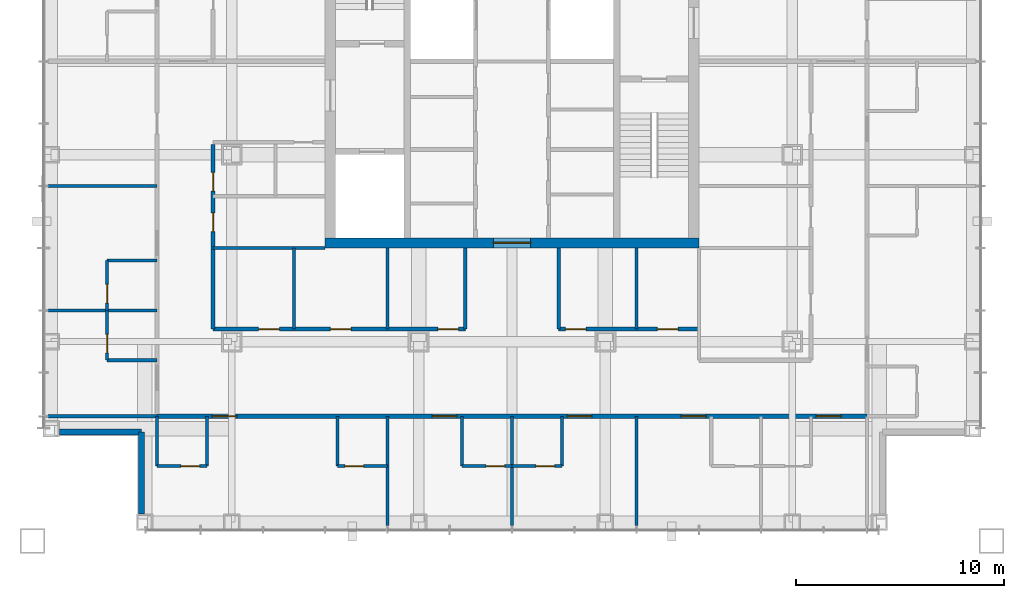
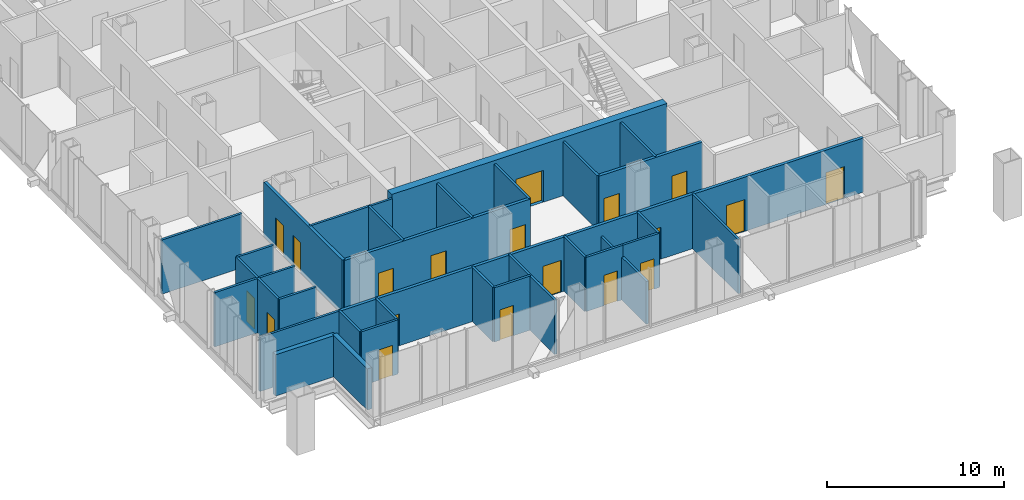
# One storey, part 12 of 20: 32 walls, 19 doors, 19 openings.
"""IFC4 building model written with IfcOpenShell, lengths in metres."""

from ifc_helpers import new_model, si_unit, direction, frame, frame_2d, origin, place, context, subcontext, project, spatial, rectangle, extrude, material, layer, layer_set, type_object, element, fill, save


model = new_model("IFC4")

# Units and contexts
model_context = context("Model", 3, precision=1e-05, world=origin(), true_north=direction((0.0, 1.0)))
body_context = subcontext(model_context, "Body", "Model", "MODEL_VIEW")
ifc_project = project(units=[si_unit("LENGTHUNIT", "METRE"), si_unit("AREAUNIT", "SQUARE_METRE"), si_unit("VOLUMEUNIT", "CUBIC_METRE"), si_unit("PLANEANGLEUNIT", "RADIAN"), si_unit("MASSUNIT", "GRAM", prefix="KILO")], contexts=[model_context])

# Site, building, storey
site_placement = place(None, origin())
site = spatial("IfcSite", under=ifc_project, at=site_placement, CompositionType="ELEMENT")
building_placement = place(site_placement, origin())
building = spatial("IfcBuilding", under=site, at=building_placement, Name="Malebo Sky Hospital", CompositionType="ELEMENT")
storey_placement = place(building_placement, frame((0.0, 0.0, 233.0)))
storey = spatial("IfcBuildingStorey", under=building, at=storey_placement, Name="L56", CompositionType="ELEMENT", Elevation=233.0)

# Wall, opening, door
ifc_material_1 = material(Name="Concrete C80/95", Category="concrete")
ifc_layer_1 = layer(ifc_material_1, 0.5)
ifc_layer_set_1 = layer_set([ifc_layer_1], Name="CORE WALL 500")
wall_type_1 = type_object("IfcWallType", Name="CORE WALL 500", PredefinedType="SHEAR", material=ifc_layer_set_1)
wall_1_placement = place(storey_placement, frame((51.0, 53.25, 0.0), z_axis=(0.0, 0.0, 1.0), x_axis=(1.0, 0.0, 0.0)))
wall_1 = element("IfcWall", 1, at=wall_1_placement, inside=storey, type_object=wall_type_1, Name="Core wall S L56", PredefinedType="SHEAR", context=body_context, shape_type="SweptSolid", body=[
    extrude(rectangle(XDim=18.0, YDim=0.5, at=frame_2d((9.0, 0.0))), origin(), (0.0, 0.0, 1.0), 4.0),
])
opening_1_placement = place(wall_1_placement, frame((8.10009765625, 0.0, 0.0)))
opening_1 = element("IfcOpeningElement", 2, at=opening_1_placement, cuts=wall_1, Name="Opening D06", PredefinedType="OPENING", context=body_context, shape_type="SweptSolid", body=[
    extrude(rectangle(XDim=1.800048828125, YDim=2.199951171875, at=frame_2d((0.89990234375, 1.10009765625))), frame((0.0, 0.260009765625, 0.0), z_axis=(0.0, -1.0, 0.0), x_axis=(1.0, 0.0, 0.0)), (0.0, 0.0, 1.0), 0.52001953125),
])
ifc_material_2 = material(Name="Hardwood-faced door leaf in steel frame", Category="steel")
door_type_1 = type_object("IfcDoorType", Name="LOBBY DOOR PAIR 1800", OperationType="DOUBLE_DOOR_SINGLE_SWING", PredefinedType="DOOR", material=ifc_material_2)
door_1_placement = place(opening_1_placement, origin())
door_1 = element("IfcDoor", 3, at=door_1_placement, inside=storey, type_object=door_type_1, Name="Service lobby door south", OperationType="DOUBLE_DOOR_SINGLE_SWING", OverallHeight=2.199951171875, OverallWidth=1.800048828125, PredefinedType="DOOR", context=body_context, shape_type="SweptSolid", body=[
    extrude(rectangle(XDim=1.800048828125, YDim=2.199951171875, at=frame_2d((0.89990234375, 1.10009765625))), frame((0.0, 0.02490234375, 0.0), z_axis=(0.0, -1.0, 0.0), x_axis=(1.0, 0.0, 0.0)), (0.0, 0.0, 1.0), 0.050048828125),
])
fill(opening_1, door_1)

# Wall, openings, doors
ifc_material_3 = material(Name="Gypsum board on steel studs", Category="steel")
ifc_layer_2 = layer(ifc_material_3, 0.199951171875)
ifc_layer_set_2 = layer_set([ifc_layer_2], Name="CORRIDOR WALL 200")
wall_type_2 = type_object("IfcWallType", Name="CORRIDOR WALL 200", PredefinedType="PARTITIONING", material=ifc_layer_set_2)
wall_2_placement = place(storey_placement, frame((45.60009765625, 49.10009765625, 0.0), z_axis=(0.0, 0.0, 1.0), x_axis=(0.0, 1.0, 0.0)))
wall_2 = element("IfcWall", 4, at=wall_2_placement, inside=storey, type_object=wall_type_2, Name="Corridor Wall 200 WCI1", PredefinedType="PARTITIONING", context=body_context, shape_type="SweptSolid", body=[
    extrude(rectangle(XDim=8.89990234375, YDim=0.199951171875, at=frame_2d((4.449951171875, 0.0))), origin(), (0.0, 0.0, 1.0), 3.75),
])
opening_2_placement = place(wall_2_placement, frame((4.699951171875, 0.0, 0.0)))
opening_2 = element("IfcOpeningElement", 5, at=opening_2_placement, cuts=wall_2, Name="Opening D04", PredefinedType="OPENING", context=body_context, shape_type="SweptSolid", body=[
    extrude(rectangle(XDim=0.89990234375, YDim=2.10009765625, at=frame_2d((0.449951171875, 1.050048828125))), frame((0.0, 0.10986328125, 0.0), z_axis=(0.0, -1.0, 0.0), x_axis=(1.0, 0.0, 0.0)), (0.0, 0.0, 1.0), 0.219970703125),
])
opening_3_placement = place(wall_2_placement, frame((6.64990234375, 0.0, 0.0)))
opening_3 = element("IfcOpeningElement", 6, at=opening_3_placement, cuts=wall_2, Name="Opening D04", PredefinedType="OPENING", context=body_context, shape_type="SweptSolid", body=[
    extrude(rectangle(XDim=0.89990234375, YDim=2.10009765625, at=frame_2d((0.449951171875, 1.050048828125))), frame((0.0, 0.10986328125, 0.0), z_axis=(0.0, -1.0, 0.0), x_axis=(1.0, 0.0, 0.0)), (0.0, 0.0, 1.0), 0.219970703125),
])
door_type_2 = type_object("IfcDoorType", Name="ROOM DOOR 900", OperationType="SINGLE_SWING_LEFT", PredefinedType="DOOR", material=ifc_material_2)
door_2_placement = place(opening_2_placement, origin())
door_2 = element("IfcDoor", 7, at=door_2_placement, inside=storey, type_object=door_type_2, Name="Ward office door", OperationType="SINGLE_SWING_LEFT", OverallHeight=2.10009765625, OverallWidth=0.89990234375, PredefinedType="DOOR", context=body_context, shape_type="SweptSolid", body=[
    extrude(rectangle(XDim=0.89990234375, YDim=2.10009765625, at=frame_2d((0.449951171875, 1.050048828125))), frame((0.0, 0.02490234375, 0.0), z_axis=(0.0, -1.0, 0.0), x_axis=(1.0, 0.0, 0.0)), (0.0, 0.0, 1.0), 0.050048828125),
])
fill(opening_2, door_2)
door_3_placement = place(opening_3_placement, origin())
door_3 = element("IfcDoor", 8, at=door_3_placement, inside=storey, type_object=door_type_2, Name="Linen store door", OperationType="SINGLE_SWING_LEFT", OverallHeight=2.10009765625, OverallWidth=0.89990234375, PredefinedType="DOOR", context=body_context, shape_type="SweptSolid", body=[
    extrude(rectangle(XDim=0.89990234375, YDim=2.10009765625, at=frame_2d((0.449951171875, 1.050048828125))), frame((0.0, 0.02490234375, 0.0), z_axis=(0.0, -1.0, 0.0), x_axis=(1.0, 0.0, 0.0)), (0.0, 0.0, 1.0), 0.050048828125),
])
fill(opening_3, door_3)

wall_3_placement = place(storey_placement, frame((77.10009765625, 44.89990234375, 0.0), z_axis=(0.0, 0.0, 1.0), x_axis=(-1.0, 0.0, 0.0)))
wall_3 = element("IfcWall", 9, at=wall_3_placement, inside=storey, type_object=wall_type_2, Name="Corridor Wall 200 SCO", PredefinedType="PARTITIONING", context=body_context, shape_type="SweptSolid", body=[
    extrude(rectangle(XDim=34.2001953125, YDim=0.199951171875, at=frame_2d((17.10009765625, 0.0))), origin(), (0.0, 0.0, 1.0), 3.75),
])
opening_4_placement = place(wall_3_placement, frame((1.25, 0.0, 0.0)))
opening_4 = element("IfcOpeningElement", 10, at=opening_4_placement, cuts=wall_3, Name="Opening D01", PredefinedType="OPENING", context=body_context, shape_type="SweptSolid", body=[
    extrude(rectangle(XDim=1.199951171875, YDim=2.199951171875, at=frame_2d((0.60009765625, 1.10009765625))), frame((0.0, 0.10986328125, 0.0), z_axis=(0.0, -1.0, 0.0), x_axis=(1.0, 0.0, 0.0)), (0.0, 0.0, 1.0), 0.219970703125),
])
opening_5_placement = place(wall_3_placement, frame((7.75, 0.0, 0.0)))
opening_5 = element("IfcOpeningElement", 11, at=opening_5_placement, cuts=wall_3, Name="Opening D01", PredefinedType="OPENING", context=body_context, shape_type="SweptSolid", body=[
    extrude(rectangle(XDim=1.199951171875, YDim=2.199951171875, at=frame_2d((0.60009765625, 1.10009765625))), frame((0.0, 0.10986328125, 0.0), z_axis=(0.0, -1.0, 0.0), x_axis=(1.0, 0.0, 0.0)), (0.0, 0.0, 1.0), 0.219970703125),
])
opening_6_placement = place(wall_3_placement, frame((13.25, 0.0, 0.0)))
opening_6 = element("IfcOpeningElement", 12, at=opening_6_placement, cuts=wall_3, Name="Opening D01", PredefinedType="OPENING", context=body_context, shape_type="SweptSolid", body=[
    extrude(rectangle(XDim=1.199951171875, YDim=2.199951171875, at=frame_2d((0.60009765625, 1.10009765625))), frame((0.0, 0.10986328125, 0.0), z_axis=(0.0, -1.0, 0.0), x_axis=(1.0, 0.0, 0.0)), (0.0, 0.0, 1.0), 0.219970703125),
])
opening_7_placement = place(wall_3_placement, frame((19.75, 0.0, 0.0)))
opening_7 = element("IfcOpeningElement", 13, at=opening_7_placement, cuts=wall_3, Name="Opening D01", PredefinedType="OPENING", context=body_context, shape_type="SweptSolid", body=[
    extrude(rectangle(XDim=1.199951171875, YDim=2.199951171875, at=frame_2d((0.60009765625, 1.10009765625))), frame((0.0, 0.10986328125, 0.0), z_axis=(0.0, -1.0, 0.0), x_axis=(1.0, 0.0, 0.0)), (0.0, 0.0, 1.0), 0.219970703125),
])
opening_8_placement = place(wall_3_placement, frame((30.35009765625, 0.0, 0.0)))
opening_8 = element("IfcOpeningElement", 14, at=opening_8_placement, cuts=wall_3, Name="Opening D01", PredefinedType="OPENING", context=body_context, shape_type="SweptSolid", body=[
    extrude(rectangle(XDim=1.199951171875, YDim=2.199951171875, at=frame_2d((0.60009765625, 1.10009765625))), frame((0.0, 0.10986328125, 0.0), z_axis=(0.0, -1.0, 0.0), x_axis=(1.0, 0.0, 0.0)), (0.0, 0.0, 1.0), 0.219970703125),
])
door_type_3 = type_object("IfcDoorType", Name="BED DOOR 1200", OperationType="SINGLE_SWING_LEFT", PredefinedType="DOOR", material=ifc_material_2)
door_4_placement = place(opening_4_placement, origin())
door_4 = element("IfcDoor", 15, at=door_4_placement, inside=storey, type_object=door_type_3, Name="Single bed room door", OperationType="SINGLE_SWING_RIGHT", OverallHeight=2.199951171875, OverallWidth=1.199951171875, PredefinedType="DOOR", context=body_context, shape_type="SweptSolid", body=[
    extrude(rectangle(XDim=1.199951171875, YDim=2.199951171875, at=frame_2d((0.60009765625, 1.10009765625))), frame((0.0, 0.02490234375, 0.0), z_axis=(0.0, -1.0, 0.0), x_axis=(1.0, 0.0, 0.0)), (0.0, 0.0, 1.0), 0.050048828125),
])
fill(opening_4, door_4)
door_5_placement = place(opening_5_placement, origin())
door_5 = element("IfcDoor", 16, at=door_5_placement, inside=storey, type_object=door_type_3, Name="Single bed room door", OperationType="SINGLE_SWING_LEFT", OverallHeight=2.199951171875, OverallWidth=1.199951171875, PredefinedType="DOOR", context=body_context, shape_type="SweptSolid", body=[
    extrude(rectangle(XDim=1.199951171875, YDim=2.199951171875, at=frame_2d((0.60009765625, 1.10009765625))), frame((0.0, 0.02490234375, 0.0), z_axis=(0.0, -1.0, 0.0), x_axis=(1.0, 0.0, 0.0)), (0.0, 0.0, 1.0), 0.050048828125),
])
fill(opening_5, door_5)
door_6_placement = place(opening_6_placement, origin())
door_6 = element("IfcDoor", 17, at=door_6_placement, inside=storey, type_object=door_type_3, Name="Single bed room door", OperationType="SINGLE_SWING_RIGHT", OverallHeight=2.199951171875, OverallWidth=1.199951171875, PredefinedType="DOOR", context=body_context, shape_type="SweptSolid", body=[
    extrude(rectangle(XDim=1.199951171875, YDim=2.199951171875, at=frame_2d((0.60009765625, 1.10009765625))), frame((0.0, 0.02490234375, 0.0), z_axis=(0.0, -1.0, 0.0), x_axis=(1.0, 0.0, 0.0)), (0.0, 0.0, 1.0), 0.050048828125),
])
fill(opening_6, door_6)
door_7_placement = place(opening_7_placement, origin())
door_7 = element("IfcDoor", 18, at=door_7_placement, inside=storey, type_object=door_type_3, Name="Single bed room door", OperationType="SINGLE_SWING_LEFT", OverallHeight=2.199951171875, OverallWidth=1.199951171875, PredefinedType="DOOR", context=body_context, shape_type="SweptSolid", body=[
    extrude(rectangle(XDim=1.199951171875, YDim=2.199951171875, at=frame_2d((0.60009765625, 1.10009765625))), frame((0.0, 0.02490234375, 0.0), z_axis=(0.0, -1.0, 0.0), x_axis=(1.0, 0.0, 0.0)), (0.0, 0.0, 1.0), 0.050048828125),
])
fill(opening_7, door_7)
door_8_placement = place(opening_8_placement, origin())
door_8 = element("IfcDoor", 19, at=door_8_placement, inside=storey, type_object=door_type_3, Name="Four-bed bay door", OperationType="SINGLE_SWING_RIGHT", OverallHeight=2.199951171875, OverallWidth=1.199951171875, PredefinedType="DOOR", context=body_context, shape_type="SweptSolid", body=[
    extrude(rectangle(XDim=1.199951171875, YDim=2.199951171875, at=frame_2d((0.60009765625, 1.10009765625))), frame((0.0, 0.02490234375, 0.0), z_axis=(0.0, -1.0, 0.0), x_axis=(1.0, 0.0, 0.0)), (0.0, 0.0, 1.0), 0.050048828125),
])
fill(opening_8, door_8)

wall_4_placement = place(storey_placement, frame((69.0, 49.10009765625, 0.0), z_axis=(0.0, 0.0, 1.0), x_axis=(-1.0, 0.0, 0.0)))
wall_4 = element("IfcWall", 20, at=wall_4_placement, inside=storey, type_object=wall_type_2, Name="Corridor Wall 200 SCI1", PredefinedType="PARTITIONING", context=body_context, shape_type="SweptSolid", body=[
    extrude(rectangle(XDim=6.75, YDim=0.199951171875, at=frame_2d((3.375, 0.0))), origin(), (0.0, 0.0, 1.0), 3.75),
])
opening_9_placement = place(wall_4_placement, frame((1.0, 0.0, 0.0)))
opening_9 = element("IfcOpeningElement", 21, at=opening_9_placement, cuts=wall_4, Name="Opening D03", PredefinedType="OPENING", context=body_context, shape_type="SweptSolid", body=[
    extrude(rectangle(XDim=1.0, YDim=2.10009765625, at=frame_2d((0.5, 1.050048828125))), frame((0.0, 0.10986328125, 0.0), z_axis=(0.0, -1.0, 0.0), x_axis=(1.0, 0.0, 0.0)), (0.0, 0.0, 1.0), 0.219970703125),
])
opening_10_placement = place(wall_4_placement, frame((5.425048828125, 0.0, 0.0)))
opening_10 = element("IfcOpeningElement", 22, at=opening_10_placement, cuts=wall_4, Name="Opening D03", PredefinedType="OPENING", context=body_context, shape_type="SweptSolid", body=[
    extrude(rectangle(XDim=1.0, YDim=2.10009765625, at=frame_2d((0.5, 1.050048828125))), frame((0.0, 0.10986328125, 0.0), z_axis=(0.0, -1.0, 0.0), x_axis=(1.0, 0.0, 0.0)), (0.0, 0.0, 1.0), 0.219970703125),
])
door_type_4 = type_object("IfcDoorType", Name="ROOM DOOR 1000", OperationType="SINGLE_SWING_LEFT", PredefinedType="DOOR", material=ifc_material_2)
door_9_placement = place(opening_9_placement, origin())
door_9 = element("IfcDoor", 23, at=door_9_placement, inside=storey, type_object=door_type_4, Name="Clean utility room door", OperationType="SINGLE_SWING_LEFT", OverallHeight=2.10009765625, OverallWidth=1.0, PredefinedType="DOOR", context=body_context, shape_type="SweptSolid", body=[
    extrude(rectangle(XDim=1.0, YDim=2.10009765625, at=frame_2d((0.5, 1.050048828125))), frame((0.0, 0.02490234375, 0.0), z_axis=(0.0, -1.0, 0.0), x_axis=(1.0, 0.0, 0.0)), (0.0, 0.0, 1.0), 0.050048828125),
])
fill(opening_9, door_9)
door_10_placement = place(opening_10_placement, origin())
door_10 = element("IfcDoor", 24, at=door_10_placement, inside=storey, type_object=door_type_4, Name="Parents' kitchen door", OperationType="SINGLE_SWING_RIGHT", OverallHeight=2.10009765625, OverallWidth=1.0, PredefinedType="DOOR", context=body_context, shape_type="SweptSolid", body=[
    extrude(rectangle(XDim=1.0, YDim=2.10009765625, at=frame_2d((0.5, 1.050048828125))), frame((0.0, 0.02490234375, 0.0), z_axis=(0.0, -1.0, 0.0), x_axis=(1.0, 0.0, 0.0)), (0.0, 0.0, 1.0), 0.050048828125),
])
fill(opening_10, door_10)

wall_5_placement = place(storey_placement, frame((57.75, 49.10009765625, 0.0), z_axis=(0.0, 0.0, 1.0), x_axis=(-1.0, 0.0, 0.0)))
wall_5 = element("IfcWall", 25, at=wall_5_placement, inside=storey, type_object=wall_type_2, Name="Corridor Wall 200 SCI2", PredefinedType="PARTITIONING", context=body_context, shape_type="SweptSolid", body=[
    extrude(rectangle(XDim=12.14990234375, YDim=0.199951171875, at=frame_2d((6.074951171875, 0.0))), origin(), (0.0, 0.0, 1.0), 3.75),
])
opening_11_placement = place(wall_5_placement, frame((0.324951171875, 0.0, 0.0)))
opening_11 = element("IfcOpeningElement", 26, at=opening_11_placement, cuts=wall_5, Name="Opening D03", PredefinedType="OPENING", context=body_context, shape_type="SweptSolid", body=[
    extrude(rectangle(XDim=1.0, YDim=2.10009765625, at=frame_2d((0.5, 1.050048828125))), frame((0.0, 0.10986328125, 0.0), z_axis=(0.0, -1.0, 0.0), x_axis=(1.0, 0.0, 0.0)), (0.0, 0.0, 1.0), 0.219970703125),
])
opening_12_placement = place(wall_5_placement, frame((5.5, 0.0, 0.0)))
opening_12 = element("IfcOpeningElement", 27, at=opening_12_placement, cuts=wall_5, Name="Opening D03", PredefinedType="OPENING", context=body_context, shape_type="SweptSolid", body=[
    extrude(rectangle(XDim=1.0, YDim=2.10009765625, at=frame_2d((0.5, 1.050048828125))), frame((0.0, 0.10986328125, 0.0), z_axis=(0.0, -1.0, 0.0), x_axis=(1.0, 0.0, 0.0)), (0.0, 0.0, 1.0), 0.219970703125),
])
opening_13_placement = place(wall_5_placement, frame((8.949951171875, 0.0, 0.0)))
opening_13 = element("IfcOpeningElement", 28, at=opening_13_placement, cuts=wall_5, Name="Opening D03", PredefinedType="OPENING", context=body_context, shape_type="SweptSolid", body=[
    extrude(rectangle(XDim=1.0, YDim=2.10009765625, at=frame_2d((0.5, 1.050048828125))), frame((0.0, 0.10986328125, 0.0), z_axis=(0.0, -1.0, 0.0), x_axis=(1.0, 0.0, 0.0)), (0.0, 0.0, 1.0), 0.219970703125),
])
door_11_placement = place(opening_11_placement, origin())
door_11 = element("IfcDoor", 29, at=door_11_placement, inside=storey, type_object=door_type_4, Name="Seminar room door", OperationType="SINGLE_SWING_LEFT", OverallHeight=2.10009765625, OverallWidth=1.0, PredefinedType="DOOR", context=body_context, shape_type="SweptSolid", body=[
    extrude(rectangle(XDim=1.0, YDim=2.10009765625, at=frame_2d((0.5, 1.050048828125))), frame((0.0, 0.02490234375, 0.0), z_axis=(0.0, -1.0, 0.0), x_axis=(1.0, 0.0, 0.0)), (0.0, 0.0, 1.0), 0.050048828125),
])
fill(opening_11, door_11)
door_12_placement = place(opening_12_placement, origin())
door_12 = element("IfcDoor", 30, at=door_12_placement, inside=storey, type_object=door_type_4, Name="Staff base door", OperationType="SINGLE_SWING_LEFT", OverallHeight=2.10009765625, OverallWidth=1.0, PredefinedType="DOOR", context=body_context, shape_type="SweptSolid", body=[
    extrude(rectangle(XDim=1.0, YDim=2.10009765625, at=frame_2d((0.5, 1.050048828125))), frame((0.0, 0.02490234375, 0.0), z_axis=(0.0, -1.0, 0.0), x_axis=(1.0, 0.0, 0.0)), (0.0, 0.0, 1.0), 0.050048828125),
])
fill(opening_12, door_12)
door_13_placement = place(opening_13_placement, origin())
door_13 = element("IfcDoor", 31, at=door_13_placement, inside=storey, type_object=door_type_4, Name="Interview room door", OperationType="SINGLE_SWING_LEFT", OverallHeight=2.10009765625, OverallWidth=1.0, PredefinedType="DOOR", context=body_context, shape_type="SweptSolid", body=[
    extrude(rectangle(XDim=1.0, YDim=2.10009765625, at=frame_2d((0.5, 1.050048828125))), frame((0.0, 0.02490234375, 0.0), z_axis=(0.0, -1.0, 0.0), x_axis=(1.0, 0.0, 0.0)), (0.0, 0.0, 1.0), 0.050048828125),
])
fill(opening_13, door_13)

# Walls
ifc_material_4 = material(Name="Anodised aluminium rainscreen on steel framing", Category="steel")
ifc_layer_3 = layer(ifc_material_4, 0.300048828125)
ifc_layer_set_3 = layer_set([ifc_layer_3], Name="NOTCH RAINSCREEN WALL 300")
wall_type_3 = type_object("IfcWallType", Name="NOTCH RAINSCREEN WALL 300", PredefinedType="ELEMENTEDWALL", material=ifc_layer_set_3)
for number, where, z_axis, x_axis, name in (
    (32, (42.14990234375, 40.199951171875, 0.0), (0.0, 0.0, 1.0), (0.0, 1.0, 0.0), "Notch rainscreen wall S1 L56"),
    (33, (42.14990234375, 44.14990234375, 0.0), (0.0, 0.0, 1.0), (-1.0, 0.0, 0.0), "Notch rainscreen wall S2 L56"),
):
    element("IfcWall", number, at=place(storey_placement, frame(where, z_axis=z_axis, x_axis=x_axis)), inside=storey, type_object=wall_type_3, Name=name, PredefinedType="ELEMENTEDWALL", context=body_context, shape_type="SweptSolid", body=[
        extrude(rectangle(XDim=3.949951171875, YDim=0.300048828125, at=frame_2d((1.97509765625, 0.0))), origin(), (0.0, 0.0, 1.0), 2.85009765625),
    ])
ifc_layer_4 = layer(ifc_material_3, 0.14990234375)
ifc_layer_set_4 = layer_set([ifc_layer_4], Name="PARTITION 150")
wall_type_4 = type_object("IfcWallType", Name="PARTITION 150", PredefinedType="PARTITIONING", material=ifc_layer_set_4)
for number, where, z_axis, x_axis, name in (
    (34, (42.89990234375, 50.0, 0.0), (0.0, 0.0, 1.0), (-1.0, 0.0, 0.0), "Partition 150 WP-12.0"),
    (35, (42.89990234375, 56.0, 0.0), (0.0, 0.0, 1.0), (-1.0, 0.0, 0.0), "Partition 150 WP-6.0"),
    (36, (42.89990234375, 44.89990234375, 0.0), (0.0, 0.0, 1.0), (-1.0, 0.0, 0.0), "Partition 150 WP0"),
):
    element("IfcWall", number, at=place(storey_placement, frame(where, z_axis=z_axis, x_axis=x_axis)), inside=storey, type_object=wall_type_4, Name=name, PredefinedType="PARTITIONING", context=body_context, shape_type="SweptSolid", body=[
        extrude(rectangle(XDim=5.25, YDim=0.14990234375, at=frame_2d((2.625, 0.0))), origin(), (0.0, 0.0, 1.0), 3.75),
    ])

# Wall, opening, door
wall_6_placement = place(storey_placement, frame((40.5, 47.60009765625, 0.0), z_axis=(0.0, 0.0, 1.0), x_axis=(0.0, 1.0, 0.0)))
wall_6 = element("IfcWall", 37, at=wall_6_placement, inside=storey, type_object=wall_type_4, Name="Partition 150 WE0F", PredefinedType="PARTITIONING", context=body_context, shape_type="SweptSolid", body=[
    extrude(rectangle(XDim=2.39990234375, YDim=0.14990234375, at=frame_2d((1.199951171875, 0.0))), origin(), (0.0, 0.0, 1.0), 3.75),
])
opening_14_placement = place(wall_6_placement, frame((0.35009765625, 0.0, 0.0)))
opening_14 = element("IfcOpeningElement", 38, at=opening_14_placement, cuts=wall_6, Name="Opening D02", PredefinedType="OPENING", context=body_context, shape_type="SweptSolid", body=[
    extrude(rectangle(XDim=0.89990234375, YDim=2.10009765625, at=frame_2d((0.449951171875, 1.050048828125))), frame((0.0, 0.0849609375, 0.0), z_axis=(0.0, -1.0, 0.0), x_axis=(1.0, 0.0, 0.0)), (0.0, 0.0, 1.0), 0.169921875),
])
door_type_5 = type_object("IfcDoorType", Name="EN-SUITE DOOR 900", OperationType="SINGLE_SWING_LEFT", PredefinedType="DOOR", material=ifc_material_2)
door_14_placement = place(opening_14_placement, origin())
door_14 = element("IfcDoor", 39, at=door_14_placement, inside=storey, type_object=door_type_5, Name="En-suite door", OperationType="SINGLE_SWING_LEFT", OverallHeight=2.10009765625, OverallWidth=0.89990234375, PredefinedType="DOOR", context=body_context, shape_type="SweptSolid", body=[
    extrude(rectangle(XDim=0.89990234375, YDim=2.10009765625, at=frame_2d((0.449951171875, 1.050048828125))), frame((0.0, 0.02490234375, 0.0), z_axis=(0.0, -1.0, 0.0), x_axis=(1.0, 0.0, 0.0)), (0.0, 0.0, 1.0), 0.050048828125),
])
fill(opening_14, door_14)

# Wall
wall_7_placement = place(storey_placement, frame((42.89990234375, 47.60009765625, 0.0), z_axis=(0.0, 0.0, 1.0), x_axis=(-1.0, 0.0, 0.0)))
element("IfcWall", 40, at=wall_7_placement, inside=storey, type_object=wall_type_4, Name="Partition 150 WE0S", PredefinedType="PARTITIONING", context=body_context, shape_type="SweptSolid", body=[
    extrude(rectangle(XDim=2.39990234375, YDim=0.14990234375, at=frame_2d((1.199951171875, 0.0))), origin(), (0.0, 0.0, 1.0), 3.75),
])

# Wall, opening, door
wall_8_placement = place(storey_placement, frame((40.5, 50.0, 0.0), z_axis=(0.0, 0.0, 1.0), x_axis=(0.0, 1.0, 0.0)))
wall_8 = element("IfcWall", 41, at=wall_8_placement, inside=storey, type_object=wall_type_4, Name="Partition 150 WE1F", PredefinedType="PARTITIONING", context=body_context, shape_type="SweptSolid", body=[
    extrude(rectangle(XDim=2.39990234375, YDim=0.14990234375, at=frame_2d((1.199951171875, 0.0))), origin(), (0.0, 0.0, 1.0), 3.75),
])
opening_15_placement = place(wall_8_placement, frame((0.35009765625, 0.0, 0.0)))
opening_15 = element("IfcOpeningElement", 42, at=opening_15_placement, cuts=wall_8, Name="Opening D02", PredefinedType="OPENING", context=body_context, shape_type="SweptSolid", body=[
    extrude(rectangle(XDim=0.89990234375, YDim=2.10009765625, at=frame_2d((0.449951171875, 1.050048828125))), frame((0.0, 0.0849609375, 0.0), z_axis=(0.0, -1.0, 0.0), x_axis=(1.0, 0.0, 0.0)), (0.0, 0.0, 1.0), 0.169921875),
])
door_15_placement = place(opening_15_placement, origin())
door_15 = element("IfcDoor", 43, at=door_15_placement, inside=storey, type_object=door_type_5, Name="En-suite door", OperationType="SINGLE_SWING_LEFT", OverallHeight=2.10009765625, OverallWidth=0.89990234375, PredefinedType="DOOR", context=body_context, shape_type="SweptSolid", body=[
    extrude(rectangle(XDim=0.89990234375, YDim=2.10009765625, at=frame_2d((0.449951171875, 1.050048828125))), frame((0.0, 0.02490234375, 0.0), z_axis=(0.0, -1.0, 0.0), x_axis=(1.0, 0.0, 0.0)), (0.0, 0.0, 1.0), 0.050048828125),
])
fill(opening_15, door_15)

# Walls
wall_9_placement = place(storey_placement, frame((42.89990234375, 52.39990234375, 0.0), z_axis=(0.0, 0.0, 1.0), x_axis=(-1.0, 0.0, 0.0)))
element("IfcWall", 44, at=wall_9_placement, inside=storey, type_object=wall_type_4, Name="Partition 150 WE1S", PredefinedType="PARTITIONING", context=body_context, shape_type="SweptSolid", body=[
    extrude(rectangle(XDim=2.39990234375, YDim=0.14990234375, at=frame_2d((1.199951171875, 0.0))), origin(), (0.0, 0.0, 1.0), 3.75),
])
wall_10_placement = place(storey_placement, frame((51.0, 53.0, 0.0), z_axis=(0.0, 0.0, 1.0), x_axis=(-1.0, 0.0, 0.0)))
element("IfcWall", 45, at=wall_10_placement, inside=storey, type_object=wall_type_4, Name="Partition 150 WSP0", PredefinedType="PARTITIONING", context=body_context, shape_type="SweptSolid", body=[
    extrude(rectangle(XDim=5.39990234375, YDim=0.14990234375, at=frame_2d((2.699951171875, 0.0))), origin(), (0.0, 0.0, 1.0), 3.75),
])
wall_11_placement = place(storey_placement, frame((66.0, 44.89990234375, 0.0), z_axis=(0.0, 0.0, 1.0), x_axis=(0.0, -1.0, 0.0)))
element("IfcWall", 46, at=wall_11_placement, inside=storey, type_object=wall_type_4, Name="Partition 150 SP-6.0", PredefinedType="PARTITIONING", context=body_context, shape_type="SweptSolid", body=[
    extrude(rectangle(XDim=5.25, YDim=0.14990234375, at=frame_2d((2.625, 0.0))), origin(), (0.0, 0.0, 1.0), 3.75),
])
wall_12_placement = place(storey_placement, frame((60.0, 44.89990234375, 0.0), z_axis=(0.0, 0.0, 1.0), x_axis=(0.0, -1.0, 0.0)))
element("IfcWall", 47, at=wall_12_placement, inside=storey, type_object=wall_type_4, Name="Partition 150 SP+0.0", PredefinedType="PARTITIONING", context=body_context, shape_type="SweptSolid", body=[
    extrude(rectangle(XDim=5.25, YDim=0.14990234375, at=frame_2d((2.625, 0.0))), origin(), (0.0, 0.0, 1.0), 2.949951171875),
])
wall_13_placement = place(storey_placement, frame((54.0, 44.89990234375, 0.0), z_axis=(0.0, 0.0, 1.0), x_axis=(0.0, -1.0, 0.0)))
element("IfcWall", 48, at=wall_13_placement, inside=storey, type_object=wall_type_4, Name="Partition 150 SP+6.0", PredefinedType="PARTITIONING", context=body_context, shape_type="SweptSolid", body=[
    extrude(rectangle(XDim=5.25, YDim=0.14990234375, at=frame_2d((2.625, 0.0))), origin(), (0.0, 0.0, 1.0), 3.75),
])

# Wall, opening, door
wall_14_placement = place(storey_placement, frame((62.39990234375, 42.5, 0.0), z_axis=(0.0, 0.0, 1.0), x_axis=(-1.0, 0.0, 0.0)))
wall_14 = element("IfcWall", 49, at=wall_14_placement, inside=storey, type_object=wall_type_4, Name="Partition 150 SE2F", PredefinedType="PARTITIONING", context=body_context, shape_type="SweptSolid", body=[
    extrude(rectangle(XDim=2.39990234375, YDim=0.14990234375, at=frame_2d((1.199951171875, 0.0))), origin(), (0.0, 0.0, 1.0), 3.75),
])
opening_16_placement = place(wall_14_placement, frame((0.35009765625, 0.0, 0.0)))
opening_16 = element("IfcOpeningElement", 50, at=opening_16_placement, cuts=wall_14, Name="Opening D02", PredefinedType="OPENING", context=body_context, shape_type="SweptSolid", body=[
    extrude(rectangle(XDim=0.89990234375, YDim=2.10009765625, at=frame_2d((0.449951171875, 1.050048828125))), frame((0.0, 0.0849609375, 0.0), z_axis=(0.0, -1.0, 0.0), x_axis=(1.0, 0.0, 0.0)), (0.0, 0.0, 1.0), 0.169921875),
])
door_16_placement = place(opening_16_placement, origin())
door_16 = element("IfcDoor", 51, at=door_16_placement, inside=storey, type_object=door_type_5, Name="En-suite door", OperationType="SINGLE_SWING_LEFT", OverallHeight=2.10009765625, OverallWidth=0.89990234375, PredefinedType="DOOR", context=body_context, shape_type="SweptSolid", body=[
    extrude(rectangle(XDim=0.89990234375, YDim=2.10009765625, at=frame_2d((0.449951171875, 1.050048828125))), frame((0.0, 0.02490234375, 0.0), z_axis=(0.0, -1.0, 0.0), x_axis=(1.0, 0.0, 0.0)), (0.0, 0.0, 1.0), 0.050048828125),
])
fill(opening_16, door_16)

# Wall
wall_15_placement = place(storey_placement, frame((62.39990234375, 44.89990234375, 0.0), z_axis=(0.0, 0.0, 1.0), x_axis=(0.0, -1.0, 0.0)))
element("IfcWall", 52, at=wall_15_placement, inside=storey, type_object=wall_type_4, Name="Partition 150 SE2S", PredefinedType="PARTITIONING", context=body_context, shape_type="SweptSolid", body=[
    extrude(rectangle(XDim=2.39990234375, YDim=0.14990234375, at=frame_2d((1.199951171875, 0.0))), origin(), (0.0, 0.0, 1.0), 3.75),
])

# Wall, opening, door
wall_16_placement = place(storey_placement, frame((60.0, 42.5, 0.0), z_axis=(0.0, 0.0, 1.0), x_axis=(-1.0, 0.0, 0.0)))
wall_16 = element("IfcWall", 53, at=wall_16_placement, inside=storey, type_object=wall_type_4, Name="Partition 150 SE3F", PredefinedType="PARTITIONING", context=body_context, shape_type="SweptSolid", body=[
    extrude(rectangle(XDim=2.39990234375, YDim=0.14990234375, at=frame_2d((1.199951171875, 0.0))), origin(), (0.0, 0.0, 1.0), 3.75),
])
opening_17_placement = place(wall_16_placement, frame((0.35009765625, 0.0, 0.0)))
opening_17 = element("IfcOpeningElement", 54, at=opening_17_placement, cuts=wall_16, Name="Opening D02", PredefinedType="OPENING", context=body_context, shape_type="SweptSolid", body=[
    extrude(rectangle(XDim=0.89990234375, YDim=2.10009765625, at=frame_2d((0.449951171875, 1.050048828125))), frame((0.0, 0.0849609375, 0.0), z_axis=(0.0, -1.0, 0.0), x_axis=(1.0, 0.0, 0.0)), (0.0, 0.0, 1.0), 0.169921875),
])
door_17_placement = place(opening_17_placement, origin())
door_17 = element("IfcDoor", 55, at=door_17_placement, inside=storey, type_object=door_type_5, Name="En-suite door", OperationType="SINGLE_SWING_LEFT", OverallHeight=2.10009765625, OverallWidth=0.89990234375, PredefinedType="DOOR", context=body_context, shape_type="SweptSolid", body=[
    extrude(rectangle(XDim=0.89990234375, YDim=2.10009765625, at=frame_2d((0.449951171875, 1.050048828125))), frame((0.0, 0.02490234375, 0.0), z_axis=(0.0, -1.0, 0.0), x_axis=(1.0, 0.0, 0.0)), (0.0, 0.0, 1.0), 0.050048828125),
])
fill(opening_17, door_17)

# Wall
wall_17_placement = place(storey_placement, frame((57.60009765625, 44.89990234375, 0.0), z_axis=(0.0, 0.0, 1.0), x_axis=(0.0, -1.0, 0.0)))
element("IfcWall", 56, at=wall_17_placement, inside=storey, type_object=wall_type_4, Name="Partition 150 SE3S", PredefinedType="PARTITIONING", context=body_context, shape_type="SweptSolid", body=[
    extrude(rectangle(XDim=2.39990234375, YDim=0.14990234375, at=frame_2d((1.199951171875, 0.0))), origin(), (0.0, 0.0, 1.0), 3.75),
])

# Wall, opening, door
wall_18_placement = place(storey_placement, frame((45.300048828125, 42.5, 0.0), z_axis=(0.0, 0.0, 1.0), x_axis=(-1.0, 0.0, 0.0)))
wall_18 = element("IfcWall", 57, at=wall_18_placement, inside=storey, type_object=wall_type_4, Name="Partition 150 SE4F", PredefinedType="PARTITIONING", context=body_context, shape_type="SweptSolid", body=[
    extrude(rectangle(XDim=2.400146484375, YDim=0.14990234375, at=frame_2d((1.2001953125, 0.0))), origin(), (0.0, 0.0, 1.0), 3.75),
])
opening_18_placement = place(wall_18_placement, frame((0.35009765625, 0.0, 0.0)))
opening_18 = element("IfcOpeningElement", 58, at=opening_18_placement, cuts=wall_18, Name="Opening D02", PredefinedType="OPENING", context=body_context, shape_type="SweptSolid", body=[
    extrude(rectangle(XDim=0.89990234375, YDim=2.10009765625, at=frame_2d((0.449951171875, 1.050048828125))), frame((0.0, 0.0849609375, 0.0), z_axis=(0.0, -1.0, 0.0), x_axis=(1.0, 0.0, 0.0)), (0.0, 0.0, 1.0), 0.169921875),
])
door_18_placement = place(opening_18_placement, origin())
door_18 = element("IfcDoor", 59, at=door_18_placement, inside=storey, type_object=door_type_5, Name="En-suite door", OperationType="SINGLE_SWING_LEFT", OverallHeight=2.10009765625, OverallWidth=0.89990234375, PredefinedType="DOOR", context=body_context, shape_type="SweptSolid", body=[
    extrude(rectangle(XDim=0.89990234375, YDim=2.10009765625, at=frame_2d((0.449951171875, 1.050048828125))), frame((0.0, 0.02490234375, 0.0), z_axis=(0.0, -1.0, 0.0), x_axis=(1.0, 0.0, 0.0)), (0.0, 0.0, 1.0), 0.050048828125),
])
fill(opening_18, door_18)

# Wall
wall_19_placement = place(storey_placement, frame((45.300048828125, 44.89990234375, 0.0), z_axis=(0.0, 0.0, 1.0), x_axis=(0.0, -1.0, 0.0)))
element("IfcWall", 60, at=wall_19_placement, inside=storey, type_object=wall_type_4, Name="Partition 150 SE4S", PredefinedType="PARTITIONING", context=body_context, shape_type="SweptSolid", body=[
    extrude(rectangle(XDim=2.39990234375, YDim=0.14990234375, at=frame_2d((1.199951171875, 0.0))), origin(), (0.0, 0.0, 1.0), 3.75),
])

# Wall, opening, door
wall_20_placement = place(storey_placement, frame((54.0, 42.5, 0.0), z_axis=(0.0, 0.0, 1.0), x_axis=(-1.0, 0.0, 0.0)))
wall_20 = element("IfcWall", 61, at=wall_20_placement, inside=storey, type_object=wall_type_4, Name="Partition 150 SG4F", PredefinedType="PARTITIONING", context=body_context, shape_type="SweptSolid", body=[
    extrude(rectangle(XDim=2.39990234375, YDim=0.14990234375, at=frame_2d((1.199951171875, 0.0))), origin(), (0.0, 0.0, 1.0), 3.75),
])
opening_19_placement = place(wall_20_placement, frame((1.14990234375, 0.0, 0.0)))
opening_19 = element("IfcOpeningElement", 62, at=opening_19_placement, cuts=wall_20, Name="Opening D02", PredefinedType="OPENING", context=body_context, shape_type="SweptSolid", body=[
    extrude(rectangle(XDim=0.89990234375, YDim=2.10009765625, at=frame_2d((0.449951171875, 1.050048828125))), frame((0.0, 0.0849609375, 0.0), z_axis=(0.0, -1.0, 0.0), x_axis=(1.0, 0.0, 0.0)), (0.0, 0.0, 1.0), 0.169921875),
])
door_19_placement = place(opening_19_placement, origin())
door_19 = element("IfcDoor", 63, at=door_19_placement, inside=storey, type_object=door_type_5, Name="En-suite door", OperationType="SINGLE_SWING_RIGHT", OverallHeight=2.10009765625, OverallWidth=0.89990234375, PredefinedType="DOOR", context=body_context, shape_type="SweptSolid", body=[
    extrude(rectangle(XDim=0.89990234375, YDim=2.10009765625, at=frame_2d((0.449951171875, 1.050048828125))), frame((0.0, 0.02490234375, 0.0), z_axis=(0.0, -1.0, 0.0), x_axis=(1.0, 0.0, 0.0)), (0.0, 0.0, 1.0), 0.050048828125),
])
fill(opening_19, door_19)

# Walls
for number, where, z_axis, x_axis, name in (
    (64, (51.60009765625, 44.89990234375, 0.0), (0.0, 0.0, 1.0), (0.0, -1.0, 0.0), "Partition 150 SG4S"),
    (65, (42.89990234375, 44.89990234375, 0.0), (0.0, 0.0, 1.0), (0.0, -1.0, 0.0), "Partition 150 SEZ"),
):
    element("IfcWall", number, at=place(storey_placement, frame(where, z_axis=z_axis, x_axis=x_axis)), inside=storey, type_object=wall_type_4, Name=name, PredefinedType="PARTITIONING", context=body_context, shape_type="SweptSolid", body=[
        extrude(rectangle(XDim=2.39990234375, YDim=0.14990234375, at=frame_2d((1.199951171875, 0.0))), origin(), (0.0, 0.0, 1.0), 3.75),
    ])
for number, where, z_axis, x_axis, name in (
    (66, (62.25, 53.0, 0.0), (0.0, 0.0, 1.0), (0.0, -1.0, 0.0), "Partition 150 SSPA"),
    (67, (57.75, 53.0, 0.0), (0.0, 0.0, 1.0), (0.0, -1.0, 0.0), "Partition 150 SSPB"),
    (68, (66.0, 53.0, 0.0), (0.0, 0.0, 1.0), (0.0, -1.0, 0.0), "Partition 150 SSP-6.0"),
    (69, (54.0, 53.0, 0.0), (0.0, 0.0, 1.0), (0.0, -1.0, 0.0), "Partition 150 SSP+6.0"),
    (70, (49.5, 53.0, 0.0), (0.0, 0.0, 1.0), (0.0, -1.0, 0.0), "Partition 150 SSP+10.5"),
):
    element("IfcWall", number, at=place(storey_placement, frame(where, z_axis=z_axis, x_axis=x_axis)), inside=storey, type_object=wall_type_4, Name=name, PredefinedType="PARTITIONING", context=body_context, shape_type="SweptSolid", body=[
        extrude(rectangle(XDim=3.89990234375, YDim=0.14990234375, at=frame_2d((1.949951171875, 0.0))), origin(), (0.0, 0.0, 1.0), 3.75),
    ])

save(model, "model.ifc")
